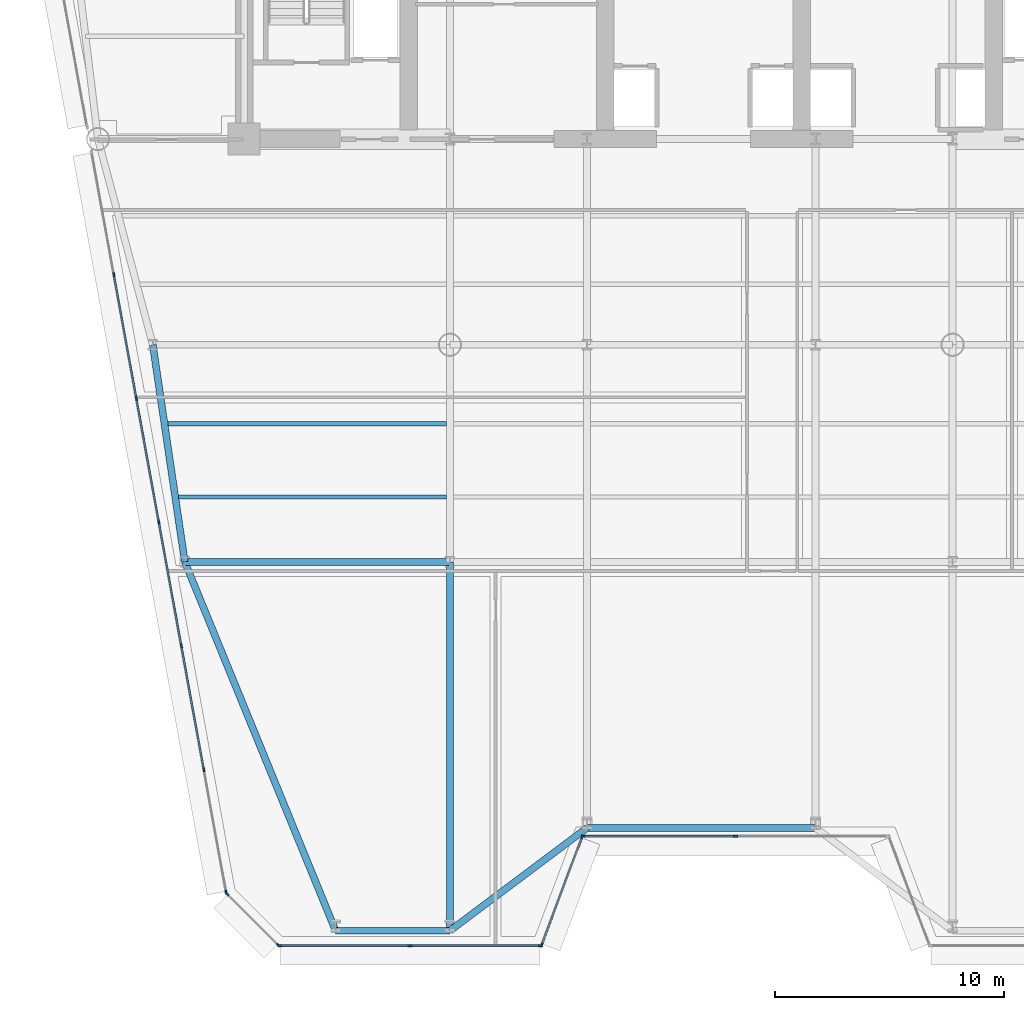
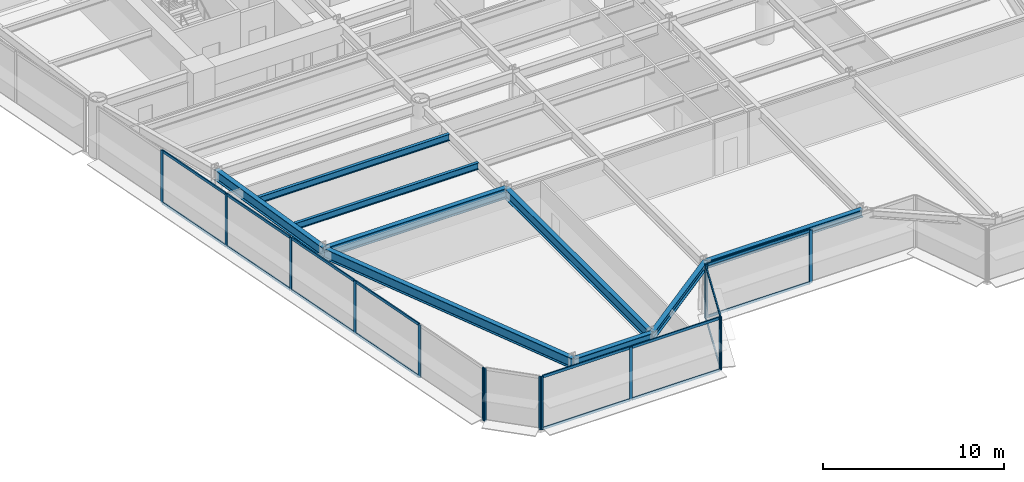
# One storey, part 2 of 14: 31 members, 9 beams, 5 elements without a shape of their own.
"""IFC4 building model written with IfcOpenShell, lengths in metres."""

from ifc_helpers import new_model, si_unit, direction, frame, origin, origin_2d, place, context, subcontext, project, spatial, rectangle, i_section, extrude, source, transform, mapped, material, layer, layer_set, material_profile, profile_set, type_object, element, aggregate, save


model = new_model("IFC4")

# Units and contexts
model_context = context("Model", 3, precision=1e-05, world=origin(), true_north=direction((0.0, 1.0)))
body_context = subcontext(model_context, "Body", "Model", "MODEL_VIEW")
ifc_project = project(units=[si_unit("LENGTHUNIT", "METRE"), si_unit("AREAUNIT", "SQUARE_METRE"), si_unit("VOLUMEUNIT", "CUBIC_METRE"), si_unit("PLANEANGLEUNIT", "RADIAN"), si_unit("MASSUNIT", "GRAM", prefix="KILO")], contexts=[model_context])

# Site, building, storey
site_placement = place(None, origin())
site = spatial("IfcSite", under=ifc_project, at=site_placement, CompositionType="ELEMENT")
building_placement = place(site_placement, origin())
building = spatial("IfcBuilding", under=site, at=building_placement, Name="Vaeldorn Concourse Tower", CompositionType="ELEMENT")
storey_placement = place(building_placement, frame((0.0, 0.0, 126.199951171875)))
storey = spatial("IfcBuildingStorey", under=building, at=storey_placement, Name="L32", CompositionType="ELEMENT", Elevation=126.199951171875)

# Beams
ifc_material_1 = material(Name="Steel S355", Category="steel")
ifc_material_profile_1 = material_profile(ifc_material_1, i_section(OverallWidth=0.300048828125, OverallDepth=0.5, WebThickness=0.014404296875, FlangeThickness=0.028076171875, FilletRadius=0.027099609375, at=origin_2d()), Name="HEB 500")
ifc_profile_set_1 = profile_set([ifc_material_profile_1], Name="Steel S355")
beam_type_1 = type_object("IfcBeamType", Name="BM-SP-HEB500", PredefinedType="SPANDREL", material=ifc_profile_set_1)
shared_shape_1 = source(origin(), body_context, "Body", "SweptSolid", [
    extrude(i_section(OverallWidth=0.300048828125, OverallDepth=0.5, WebThickness=0.014404296875, FlangeThickness=0.028076171875, FilletRadius=0.027099609375, at=origin_2d()), origin(), (0.0, 0.0, 1.0), 5.0),
])
beam_1_placement = place(storey_placement, frame((18.0, 1.856201171875, 3.330078125), z_axis=(1.0, 0.0, 0.0), x_axis=(0.0, 1.0, 0.0)))
element("IfcBeam", 1, at=beam_1_placement, inside=storey, type_object=beam_type_1, Name="Beam BM-L32-C-SF1-C-SF2", PredefinedType="SPANDREL", context=body_context, shape_type="MappedRepresentation", body=[
    mapped(shared_shape_1, transform((0.0, 0.0, 0.0), scale=1.0)),
])
shared_shape_2 = source(origin(), body_context, "Body", "SweptSolid", [
    extrude(i_section(OverallWidth=0.300048828125, OverallDepth=0.5, WebThickness=0.014404296875, FlangeThickness=0.028076171875, FilletRadius=0.027099609375, at=origin_2d()), origin(), (0.0, 0.0, 1.0), 7.5),
])
beam_2_placement = place(storey_placement, frame((23.0, 1.856201171875, 3.330078125), z_axis=(0.8, 0.6, 0.0), x_axis=(-0.6, 0.8, 0.0)))
element("IfcBeam", 2, at=beam_2_placement, inside=storey, type_object=beam_type_1, Name="Beam BM-L32-C-SF2-C-SF3", PredefinedType="SPANDREL", context=body_context, shape_type="MappedRepresentation", body=[
    mapped(shared_shape_2, transform((0.0, 0.0, 0.0), scale=1.0)),
])
shared_shape_3 = source(origin(), body_context, "Body", "SweptSolid", [
    extrude(i_section(OverallWidth=0.300048828125, OverallDepth=0.5, WebThickness=0.014404296875, FlangeThickness=0.028076171875, FilletRadius=0.027099609375, at=origin_2d()), origin(), (0.0, 0.0, 1.0), 10.0),
])
beam_3_placement = place(storey_placement, frame((29.0, 6.356201171875, 3.330078125), z_axis=(1.0, 0.0, 0.0), x_axis=(0.0, 1.0, 0.0)))
element("IfcBeam", 3, at=beam_3_placement, inside=storey, type_object=beam_type_1, Name="Beam BM-L32-C-SF3-C-SF4", PredefinedType="SPANDREL", context=body_context, shape_type="MappedRepresentation", body=[
    mapped(shared_shape_3, transform((0.0, 0.0, 0.0), scale=1.0)),
])
ifc_material_profile_2 = material_profile(ifc_material_1, i_section(OverallWidth=0.300048828125, OverallDepth=0.699951171875, WebThickness=0.01708984375, FlangeThickness=0.031982421875, FilletRadius=0.027099609375, at=origin_2d()), Name="HEB 700")
ifc_profile_set_2 = profile_set([ifc_material_profile_2], Name="Steel S355")
beam_type_2 = type_object("IfcBeamType", Name="BM-PG-HEB700", PredefinedType="BEAM", material=ifc_profile_set_2)
shared_shape_4 = source(origin(), body_context, "Body", "SweptSolid", [
    extrude(i_section(OverallWidth=0.300048828125, OverallDepth=0.699951171875, WebThickness=0.01708984375, FlangeThickness=0.031982421875, FilletRadius=0.027099609375, at=origin_2d()), origin(), (0.0, 0.0, 1.0), 9.6025390625),
])
beam_4_placement = place(storey_placement, frame((10.0, 27.5, 3.22998046875), z_axis=(0.145783835977, -0.989316467652, 0.0), x_axis=(0.989316467652, 0.145783835977, 0.0)))
element("IfcBeam", 4, at=beam_4_placement, inside=storey, type_object=beam_type_2, Name="Beam BM-L32-C-FLW1-C-FLW2", PredefinedType="BEAM", context=body_context, shape_type="MappedRepresentation", body=[
    mapped(shared_shape_4, transform((0.0, 0.0, 0.0), scale=1.0)),
])
shared_shape_5 = source(origin(), body_context, "Body", "SweptSolid", [
    extrude(i_section(OverallWidth=0.300048828125, OverallDepth=0.699951171875, WebThickness=0.01708984375, FlangeThickness=0.031982421875, FilletRadius=0.027099609375, at=origin_2d()), origin(), (0.0, 0.0, 1.0), 11.60009765625),
])
beam_5_placement = place(storey_placement, frame((11.39990234375, 18.0, 3.22998046875), z_axis=(1.0, 0.0, 0.0), x_axis=(0.0, 1.0, 0.0)))
element("IfcBeam", 5, at=beam_5_placement, inside=storey, type_object=beam_type_2, Name="Beam BM-L32-C-FLW2-C-TW5", PredefinedType="BEAM", context=body_context, shape_type="MappedRepresentation", body=[
    mapped(shared_shape_5, transform((0.0, 0.0, 0.0), scale=1.0)),
])
shared_shape_6 = source(origin(), body_context, "Body", "SweptSolid", [
    extrude(i_section(OverallWidth=0.300048828125, OverallDepth=0.699951171875, WebThickness=0.01708984375, FlangeThickness=0.031982421875, FilletRadius=0.027099609375, at=origin_2d()), origin(), (0.0, 0.0, 1.0), 17.44091796875),
])
beam_6_placement = place(storey_placement, frame((18.0, 1.856201171875, 3.22998046875), z_axis=(-0.378427347763, 0.925630996923, 0.0), x_axis=(-0.925630996923, -0.378427347763, 0.0)))
element("IfcBeam", 6, at=beam_6_placement, inside=storey, type_object=beam_type_2, Name="Beam BM-L32-C-SF1-C-FLW2", PredefinedType="BEAM", context=body_context, shape_type="MappedRepresentation", body=[
    mapped(shared_shape_6, transform((0.0, 0.0, 0.0), scale=1.0)),
])
shared_shape_7 = source(origin(), body_context, "Body", "SweptSolid", [
    extrude(i_section(OverallWidth=0.300048828125, OverallDepth=0.699951171875, WebThickness=0.01708984375, FlangeThickness=0.031982421875, FilletRadius=0.027099609375, at=origin_2d()), origin(), (0.0, 0.0, 1.0), 16.143798828125),
])
beam_7_placement = place(storey_placement, frame((23.0, 1.856201171875, 3.22998046875), z_axis=(0.0, 1.0, 0.0), x_axis=(-1.0, 0.0, 0.0)))
element("IfcBeam", 7, at=beam_7_placement, inside=storey, type_object=beam_type_2, Name="Beam BM-L32-C-SF2-C-TW5", PredefinedType="BEAM", context=body_context, shape_type="MappedRepresentation", body=[
    mapped(shared_shape_7, transform((0.0, 0.0, 0.0), scale=1.0)),
])
ifc_material_profile_3 = material_profile(ifc_material_1, i_section(OverallWidth=0.18994140625, OverallDepth=0.449951171875, WebThickness=0.009521484375, FlangeThickness=0.0146484375, FilletRadius=0.02099609375, at=origin_2d()), Name="IPE 450")
ifc_profile_set_3 = profile_set([ifc_material_profile_3], Name="Steel S355")
beam_type_3 = type_object("IfcBeamType", Name="BM-JS-IPE450", PredefinedType="JOIST", material=ifc_profile_set_3)
shared_shape_8 = source(origin(), body_context, "Body", "SweptSolid", [
    extrude(i_section(OverallWidth=0.18994140625, OverallDepth=0.449951171875, WebThickness=0.009521484375, FlangeThickness=0.0146484375, FilletRadius=0.02099609375, at=origin_2d()), origin(), (0.0, 0.0, 1.0), 11.718505859375),
])
beam_8_placement = place(storey_placement, frame((11.131591796875, 20.840087890625, 3.35498046875), z_axis=(1.0, 0.0, 0.0), x_axis=(0.0, 1.0, 0.0)))
element("IfcBeam", 8, at=beam_8_placement, inside=storey, type_object=beam_type_3, Name="Beam JS-L32-W1-208", PredefinedType="JOIST", context=body_context, shape_type="MappedRepresentation", body=[
    mapped(shared_shape_8, transform((0.0, 0.0, 0.0), scale=1.0)),
])
shared_shape_9 = source(origin(), body_context, "Body", "SweptSolid", [
    extrude(i_section(OverallWidth=0.18994140625, OverallDepth=0.449951171875, WebThickness=0.009521484375, FlangeThickness=0.0146484375, FilletRadius=0.02099609375, at=origin_2d()), origin(), (0.0, 0.0, 1.0), 12.190185546875),
])
beam_9_placement = place(storey_placement, frame((10.659912109375, 24.0400390625, 3.35498046875), z_axis=(1.0, 0.0, 0.0), x_axis=(0.0, 1.0, 0.0)))
element("IfcBeam", 9, at=beam_9_placement, inside=storey, type_object=beam_type_3, Name="Beam JS-L32-W1-240", PredefinedType="JOIST", context=body_context, shape_type="MappedRepresentation", body=[
    mapped(shared_shape_9, transform((0.0, 0.0, 0.0), scale=1.0)),
])

# Curtain wall, members
ifc_material_2 = material(Name="Anodised Bronze Aluminium", Category="aluminium")
ifc_layer = layer(ifc_material_2, 0.199951171875)
ifc_layer_set = layer_set([ifc_layer], Name="Anodised Bronze Aluminium")
curtain_wall_type = type_object("IfcCurtainWallType", Name="CW-SYS-02", PredefinedType="NOTDEFINED", material=ifc_layer_set)
curtain_wall_1_placement = place(storey_placement, origin())
curtain_wall_1 = element("IfcCurtainWall", 10, at=curtain_wall_1_placement, inside=storey, type_object=curtain_wall_type, Name="Unitised Curtain Wall CW-L32-E03-1", PredefinedType="NOTDEFINED")
ifc_material_profile_4 = material_profile(ifc_material_2, rectangle(XDim=0.074951171875, YDim=0.179931640625, at=origin_2d()), Name="CWT 75x180")
ifc_profile_set_4 = profile_set([ifc_material_profile_4], Name="Anodised Bronze Aluminium")
member_type_1 = type_object("IfcMemberType", Name="CWT-BRONZE-180", PredefinedType="USERDEFINED", material=ifc_profile_set_4)
shared_shape_10 = source(origin(), body_context, "Body", "SweptSolid", [
    extrude(rectangle(XDim=0.074951171875, YDim=0.179931640625, at=origin_2d()), origin(), (0.0, 0.0, 1.0), 6.58740234375),
])
member_1_placement = place(storey_placement, frame((28.875, 5.995361328125, 0.03759765625), z_axis=(1.0, 0.0, 0.0), x_axis=(0.0, 1.0, 0.0)))
member_1 = element("IfcMember", 11, at=member_1_placement, type_object=member_type_1, Name="CW-02 transom 1.1", ObjectType="TRANSOM", PredefinedType="USERDEFINED", context=body_context, shape_type="MappedRepresentation", body=[
    mapped(shared_shape_10, transform((0.0, 0.0, 0.0), scale=1.0)),
])
member_2_placement = place(storey_placement, frame((28.875, 5.995361328125, 3.54248046875), z_axis=(1.0, 0.0, 0.0), x_axis=(0.0, 1.0, 0.0)))
member_2 = element("IfcMember", 12, at=member_2_placement, type_object=member_type_1, Name="CW-02 transom 1.2", ObjectType="TRANSOM", PredefinedType="USERDEFINED", context=body_context, shape_type="MappedRepresentation", body=[
    mapped(shared_shape_10, transform((0.0, 0.0, 0.0), scale=1.0)),
])

curtain_wall_2_placement = place(storey_placement, origin())
curtain_wall_2 = element("IfcCurtainWall", 13, at=curtain_wall_2_placement, inside=storey, type_object=curtain_wall_type, Name="Unitised Curtain Wall CW-L32-E02-1", PredefinedType="NOTDEFINED")
shared_shape_11 = source(origin(), body_context, "Body", "SweptSolid", [
    extrude(rectangle(XDim=0.074951171875, YDim=0.179931640625, at=origin_2d()), origin(), (0.0, 0.0, 1.0), 4.9765625),
])
member_3_placement = place(storey_placement, frame((27.0263671875, 1.265625, 0.03759765625), z_axis=(0.351112688987, 0.936333209724, 0.0), x_axis=(-0.936333209724, 0.351112688987, 0.0)))
member_3 = element("IfcMember", 14, at=member_3_placement, type_object=member_type_1, Name="CW-02 transom 1.1", ObjectType="TRANSOM", PredefinedType="USERDEFINED", context=body_context, shape_type="MappedRepresentation", body=[
    mapped(shared_shape_11, transform((0.0, 0.0, 0.0), scale=1.0)),
])
member_4_placement = place(storey_placement, frame((27.0263671875, 1.265625, 3.54248046875), z_axis=(0.351112688987, 0.936333209724, 0.0), x_axis=(-0.936333209724, 0.351112688987, 0.0)))
member_4 = element("IfcMember", 15, at=member_4_placement, type_object=member_type_1, Name="CW-02 transom 1.2", ObjectType="TRANSOM", PredefinedType="USERDEFINED", context=body_context, shape_type="MappedRepresentation", body=[
    mapped(shared_shape_11, transform((0.0, 0.0, 0.0), scale=1.0)),
])

curtain_wall_3_placement = place(storey_placement, origin())
curtain_wall_3 = element("IfcCurtainWall", 16, at=curtain_wall_3_placement, inside=storey, type_object=curtain_wall_type, Name="Unitised Curtain Wall CW-L32-E01-1", PredefinedType="NOTDEFINED")
shared_shape_12 = source(origin(), body_context, "Body", "SweptSolid", [
    extrude(rectangle(XDim=0.074951171875, YDim=0.179931640625, at=origin_2d()), origin(), (0.0, 0.0, 1.0), 5.628662109375),
])
member_5_placement = place(storey_placement, frame((15.5927734375, 1.1953125, 0.03759765625), z_axis=(1.0, 0.0, 0.0), x_axis=(0.0, 1.0, 0.0)))
member_5 = element("IfcMember", 17, at=member_5_placement, type_object=member_type_1, Name="CW-02 transom 1.1", ObjectType="TRANSOM", PredefinedType="USERDEFINED", context=body_context, shape_type="MappedRepresentation", body=[
    mapped(shared_shape_12, transform((0.0, 0.0, 0.0), scale=1.0)),
])
member_6_placement = place(storey_placement, frame((15.5927734375, 1.1953125, 3.54248046875), z_axis=(1.0, 0.0, 0.0), x_axis=(0.0, 1.0, 0.0)))
member_6 = element("IfcMember", 18, at=member_6_placement, type_object=member_type_1, Name="CW-02 transom 1.2", ObjectType="TRANSOM", PredefinedType="USERDEFINED", context=body_context, shape_type="MappedRepresentation", body=[
    mapped(shared_shape_12, transform((0.0, 0.0, 0.0), scale=1.0)),
])
member_7_placement = place(storey_placement, frame((21.29638671875, 1.1953125, 0.03759765625), z_axis=(1.0, 0.0, 0.0), x_axis=(0.0, 1.0, 0.0)))
member_7 = element("IfcMember", 19, at=member_7_placement, type_object=member_type_1, Name="CW-02 transom 2.1", ObjectType="TRANSOM", PredefinedType="USERDEFINED", context=body_context, shape_type="MappedRepresentation", body=[
    mapped(shared_shape_12, transform((0.0, 0.0, 0.0), scale=1.0)),
])
member_8_placement = place(storey_placement, frame((21.29638671875, 1.1953125, 3.54248046875), z_axis=(1.0, 0.0, 0.0), x_axis=(0.0, 1.0, 0.0)))
member_8 = element("IfcMember", 20, at=member_8_placement, type_object=member_type_1, Name="CW-02 transom 2.2", ObjectType="TRANSOM", PredefinedType="USERDEFINED", context=body_context, shape_type="MappedRepresentation", body=[
    mapped(shared_shape_12, transform((0.0, 0.0, 0.0), scale=1.0)),
])
ifc_material_profile_5 = material_profile(ifc_material_2, rectangle(XDim=0.074951171875, YDim=0.18994140625, at=origin_2d()), Name="CWM 75x190")
ifc_profile_set_5 = profile_set([ifc_material_profile_5], Name="Anodised Bronze Aluminium")
member_type_2 = type_object("IfcMemberType", Name="CWM-BRONZE-190", PredefinedType="MULLION", material=ifc_profile_set_5)
shared_shape_13 = source(origin(), body_context, "Body", "SweptSolid", [
    extrude(rectangle(XDim=0.074951171875, YDim=0.18994140625, at=origin_2d()), origin(), (0.0, 0.0, 1.0), 3.580078125),
])
member_9_placement = place(storey_placement, frame((15.555419921875, 1.1953125, 0.0), z_axis=(0.0, 0.0, 1.0), x_axis=(0.0, 1.0, 0.0)))
member_9 = element("IfcMember", 21, at=member_9_placement, type_object=member_type_2, Name="CW-02 mullion 1", PredefinedType="MULLION", context=body_context, shape_type="MappedRepresentation", body=[
    mapped(shared_shape_13, transform((0.0, 0.0, 0.0), scale=1.0)),
])
member_10_placement = place(storey_placement, frame((21.2587890625, 1.1953125, 0.0), z_axis=(0.0, 0.0, 1.0), x_axis=(0.0, 1.0, 0.0)))
member_10 = element("IfcMember", 22, at=member_10_placement, type_object=member_type_2, Name="CW-02 mullion 2", PredefinedType="MULLION", context=body_context, shape_type="MappedRepresentation", body=[
    mapped(shared_shape_13, transform((0.0, 0.0, 0.0), scale=1.0)),
])
member_11_placement = place(storey_placement, frame((26.96240234375, 1.1953125, 0.0), z_axis=(0.0, 0.0, 1.0), x_axis=(0.0, 1.0, 0.0)))
member_11 = element("IfcMember", 23, at=member_11_placement, type_object=member_type_2, Name="CW-02 mullion 3", PredefinedType="MULLION", context=body_context, shape_type="MappedRepresentation", body=[
    mapped(shared_shape_13, transform((0.0, 0.0, 0.0), scale=1.0)),
])
aggregate(curtain_wall_3, [member_9, member_10, member_11, member_5, member_6, member_7, member_8])

# Member
member_12_placement = place(storey_placement, frame((27.01318359375, 1.23046875, 0.0), z_axis=(0.0, 0.0, 1.0), x_axis=(-0.936329177566, 0.351123441595, 0.0)))
member_12 = element("IfcMember", 24, at=member_12_placement, type_object=member_type_2, Name="CW-02 mullion 1", PredefinedType="MULLION", context=body_context, shape_type="MappedRepresentation", body=[
    mapped(shared_shape_13, transform((0.0, 0.0, 0.0), scale=1.0)),
])

member_13_placement = place(storey_placement, frame((28.786865234375, 5.960205078125, 0.0), z_axis=(0.0, 0.0, 1.0), x_axis=(-0.936329177566, 0.351123441595, 0.0)))
member_13 = element("IfcMember", 25, at=member_13_placement, type_object=member_type_2, Name="CW-02 mullion 2", PredefinedType="MULLION", context=body_context, shape_type="MappedRepresentation", body=[
    mapped(shared_shape_13, transform((0.0, 0.0, 0.0), scale=1.0)),
])

aggregate(curtain_wall_2, [member_12, member_13, member_3, member_4])

member_14_placement = place(storey_placement, frame((28.83740234375, 5.995361328125, 0.0), z_axis=(0.0, 0.0, 1.0), x_axis=(0.0, 1.0, 0.0)))
member_14 = element("IfcMember", 26, at=member_14_placement, type_object=member_type_2, Name="CW-02 mullion 1", PredefinedType="MULLION", context=body_context, shape_type="MappedRepresentation", body=[
    mapped(shared_shape_13, transform((0.0, 0.0, 0.0), scale=1.0)),
])

member_15_placement = place(storey_placement, frame((35.5, 5.995361328125, 0.0), z_axis=(0.0, 0.0, 1.0), x_axis=(0.0, 1.0, 0.0)))
member_15 = element("IfcMember", 27, at=member_15_placement, type_object=member_type_2, Name="CW-02 mullion 2", PredefinedType="MULLION", context=body_context, shape_type="MappedRepresentation", body=[
    mapped(shared_shape_13, transform((0.0, 0.0, 0.0), scale=1.0)),
])

aggregate(curtain_wall_1, [member_14, member_15, member_1, member_2])

# Curtain wall, members
curtain_wall_4_placement = place(storey_placement, origin())
curtain_wall_4 = element("IfcCurtainWall", 28, at=curtain_wall_4_placement, inside=storey, type_object=curtain_wall_type, Name="Unitised Curtain Wall CW-L32-E11-2", PredefinedType="NOTDEFINED")
member_16_placement = place(storey_placement, frame((8.29638671875, 30.567626953125, 0.0), z_axis=(0.0, 0.0, 1.0), x_axis=(0.983874464726, 0.178860385943, 0.0)))
member_16 = element("IfcMember", 29, at=member_16_placement, type_object=member_type_2, Name="CW-02 mullion 2", PredefinedType="MULLION", context=body_context, shape_type="MappedRepresentation", body=[
    mapped(shared_shape_13, transform((0.0, 0.0, 0.0), scale=1.0)),
])
member_17_placement = place(storey_placement, frame((9.280517578125, 25.153076171875, 0.0), z_axis=(0.0, 0.0, 1.0), x_axis=(0.983874464726, 0.178860385943, 0.0)))
member_17 = element("IfcMember", 30, at=member_17_placement, type_object=member_type_2, Name="CW-02 mullion 3", PredefinedType="MULLION", context=body_context, shape_type="MappedRepresentation", body=[
    mapped(shared_shape_13, transform((0.0, 0.0, 0.0), scale=1.0)),
])
member_18_placement = place(storey_placement, frame((10.264892578125, 19.73876953125, 0.0), z_axis=(0.0, 0.0, 1.0), x_axis=(0.983874464726, 0.178860385943, 0.0)))
member_18 = element("IfcMember", 31, at=member_18_placement, type_object=member_type_2, Name="CW-02 mullion 4", PredefinedType="MULLION", context=body_context, shape_type="MappedRepresentation", body=[
    mapped(shared_shape_13, transform((0.0, 0.0, 0.0), scale=1.0)),
])
member_19_placement = place(storey_placement, frame((11.249267578125, 14.32421875, 0.0), z_axis=(0.0, 0.0, 1.0), x_axis=(0.983874464726, 0.178860385943, 0.0)))
member_19 = element("IfcMember", 32, at=member_19_placement, type_object=member_type_2, Name="CW-02 mullion 5", PredefinedType="MULLION", context=body_context, shape_type="MappedRepresentation", body=[
    mapped(shared_shape_13, transform((0.0, 0.0, 0.0), scale=1.0)),
])
member_20_placement = place(storey_placement, frame((12.2333984375, 8.909912109375, 0.0), z_axis=(0.0, 0.0, 1.0), x_axis=(0.983874464726, 0.178860385943, 0.0)))
member_20 = element("IfcMember", 33, at=member_20_placement, type_object=member_type_2, Name="CW-02 mullion 6", PredefinedType="MULLION", context=body_context, shape_type="MappedRepresentation", body=[
    mapped(shared_shape_13, transform((0.0, 0.0, 0.0), scale=1.0)),
])
member_21_placement = place(storey_placement, frame((13.211181640625, 3.5322265625, 0.0), z_axis=(0.0, 0.0, 1.0), x_axis=(0.983874464726, 0.178860385943, 0.0)))
member_21 = element("IfcMember", 34, at=member_21_placement, type_object=member_type_2, Name="CW-02 mullion 7", PredefinedType="MULLION", context=body_context, shape_type="MappedRepresentation", body=[
    mapped(shared_shape_13, transform((0.0, 0.0, 0.0), scale=1.0)),
])

curtain_wall_5_placement = place(storey_placement, origin())
curtain_wall_5 = element("IfcCurtainWall", 35, at=curtain_wall_5_placement, inside=storey, type_object=curtain_wall_type, Name="Unitised Curtain Wall CW-L32-E12-1", PredefinedType="NOTDEFINED")
member_22_placement = place(storey_placement, frame((13.244384765625, 3.468994140625, 0.0), z_axis=(0.0, 0.0, 1.0), x_axis=(0.707106781187, 0.707106781187, 0.0)))
member_22 = element("IfcMember", 36, at=member_22_placement, type_object=member_type_2, Name="CW-02 mullion 1", PredefinedType="MULLION", context=body_context, shape_type="MappedRepresentation", body=[
    mapped(shared_shape_13, transform((0.0, 0.0, 0.0), scale=1.0)),
])
member_23_placement = place(storey_placement, frame((15.4912109375, 1.221923828125, 0.0), z_axis=(0.0, 0.0, 1.0), x_axis=(0.707106781187, 0.707106781187, 0.0)))
member_23 = element("IfcMember", 37, at=member_23_placement, type_object=member_type_2, Name="CW-02 mullion 2", PredefinedType="MULLION", context=body_context, shape_type="MappedRepresentation", body=[
    mapped(shared_shape_13, transform((0.0, 0.0, 0.0), scale=1.0)),
])
aggregate(curtain_wall_5, [member_22, member_23])

# Member
shared_shape_14 = source(origin(), body_context, "Body", "SweptSolid", [
    extrude(rectangle(XDim=0.074951171875, YDim=0.179931640625, at=origin_2d()), origin(), (0.0, 0.0, 1.0), 5.42822265625),
])
member_24_placement = place(storey_placement, frame((9.287353515625, 25.1162109375, 0.03759765625), z_axis=(0.178873564257, -0.983872068925, 0.0), x_axis=(0.983872068925, 0.178873564257, 0.0)))
member_24 = element("IfcMember", 38, at=member_24_placement, type_object=member_type_1, Name="CW-02 transom 3.1", ObjectType="TRANSOM", PredefinedType="USERDEFINED", context=body_context, shape_type="MappedRepresentation", body=[
    mapped(shared_shape_14, transform((0.0, 0.0, 0.0), scale=1.0)),
])

member_25_placement = place(storey_placement, frame((9.287353515625, 25.1162109375, 3.54248046875), z_axis=(0.178873564257, -0.983872068925, 0.0), x_axis=(0.983872068925, 0.178873564257, 0.0)))
member_25 = element("IfcMember", 39, at=member_25_placement, type_object=member_type_1, Name="CW-02 transom 3.2", ObjectType="TRANSOM", PredefinedType="USERDEFINED", context=body_context, shape_type="MappedRepresentation", body=[
    mapped(shared_shape_14, transform((0.0, 0.0, 0.0), scale=1.0)),
])

member_26_placement = place(storey_placement, frame((10.271728515625, 19.701904296875, 0.03759765625), z_axis=(0.178822112494, -0.983881421759, 0.0), x_axis=(0.983881421759, 0.178822112494, 0.0)))
member_26 = element("IfcMember", 40, at=member_26_placement, type_object=member_type_1, Name="CW-02 transom 4.1", ObjectType="TRANSOM", PredefinedType="USERDEFINED", context=body_context, shape_type="MappedRepresentation", body=[
    mapped(shared_shape_14, transform((0.0, 0.0, 0.0), scale=1.0)),
])

member_27_placement = place(storey_placement, frame((10.271728515625, 19.701904296875, 3.54248046875), z_axis=(0.178822112494, -0.983881421759, 0.0), x_axis=(0.983881421759, 0.178822112494, 0.0)))
member_27 = element("IfcMember", 41, at=member_27_placement, type_object=member_type_1, Name="CW-02 transom 4.2", ObjectType="TRANSOM", PredefinedType="USERDEFINED", context=body_context, shape_type="MappedRepresentation", body=[
    mapped(shared_shape_14, transform((0.0, 0.0, 0.0), scale=1.0)),
])

member_28_placement = place(storey_placement, frame((11.255859375, 14.287353515625, 0.03759765625), z_axis=(0.178873564257, -0.983872068925, 0.0), x_axis=(0.983872068925, 0.178873564257, 0.0)))
member_28 = element("IfcMember", 42, at=member_28_placement, type_object=member_type_1, Name="CW-02 transom 5.1", ObjectType="TRANSOM", PredefinedType="USERDEFINED", context=body_context, shape_type="MappedRepresentation", body=[
    mapped(shared_shape_14, transform((0.0, 0.0, 0.0), scale=1.0)),
])

member_29_placement = place(storey_placement, frame((11.255859375, 14.287353515625, 3.54248046875), z_axis=(0.178873564257, -0.983872068925, 0.0), x_axis=(0.983872068925, 0.178873564257, 0.0)))
member_29 = element("IfcMember", 43, at=member_29_placement, type_object=member_type_1, Name="CW-02 transom 5.2", ObjectType="TRANSOM", PredefinedType="USERDEFINED", context=body_context, shape_type="MappedRepresentation", body=[
    mapped(shared_shape_14, transform((0.0, 0.0, 0.0), scale=1.0)),
])

shared_shape_15 = source(origin(), body_context, "Body", "SweptSolid", [
    extrude(rectangle(XDim=0.074951171875, YDim=0.179931640625, at=origin_2d()), origin(), (0.0, 0.0, 1.0), 5.428466796875),
])
member_30_placement = place(storey_placement, frame((8.302978515625, 30.53076171875, 0.03759765625), z_axis=(0.178865649156, -0.983873507902, 0.0), x_axis=(0.983873507902, 0.178865649156, 0.0)))
member_30 = element("IfcMember", 44, at=member_30_placement, type_object=member_type_1, Name="CW-02 transom 2.1", ObjectType="TRANSOM", PredefinedType="USERDEFINED", context=body_context, shape_type="MappedRepresentation", body=[
    mapped(shared_shape_15, transform((0.0, 0.0, 0.0), scale=1.0)),
])

member_31_placement = place(storey_placement, frame((8.302978515625, 30.53076171875, 3.54248046875), z_axis=(0.178865649156, -0.983873507902, 0.0), x_axis=(0.983873507902, 0.178865649156, 0.0)))
member_31 = element("IfcMember", 45, at=member_31_placement, type_object=member_type_1, Name="CW-02 transom 2.2", ObjectType="TRANSOM", PredefinedType="USERDEFINED", context=body_context, shape_type="MappedRepresentation", body=[
    mapped(shared_shape_15, transform((0.0, 0.0, 0.0), scale=1.0)),
])

aggregate(curtain_wall_4, [member_16, member_17, member_18, member_19, member_20, member_21, member_30, member_31, member_24, member_25, member_26, member_27, member_28, member_29])

save(model, "model.ifc")
